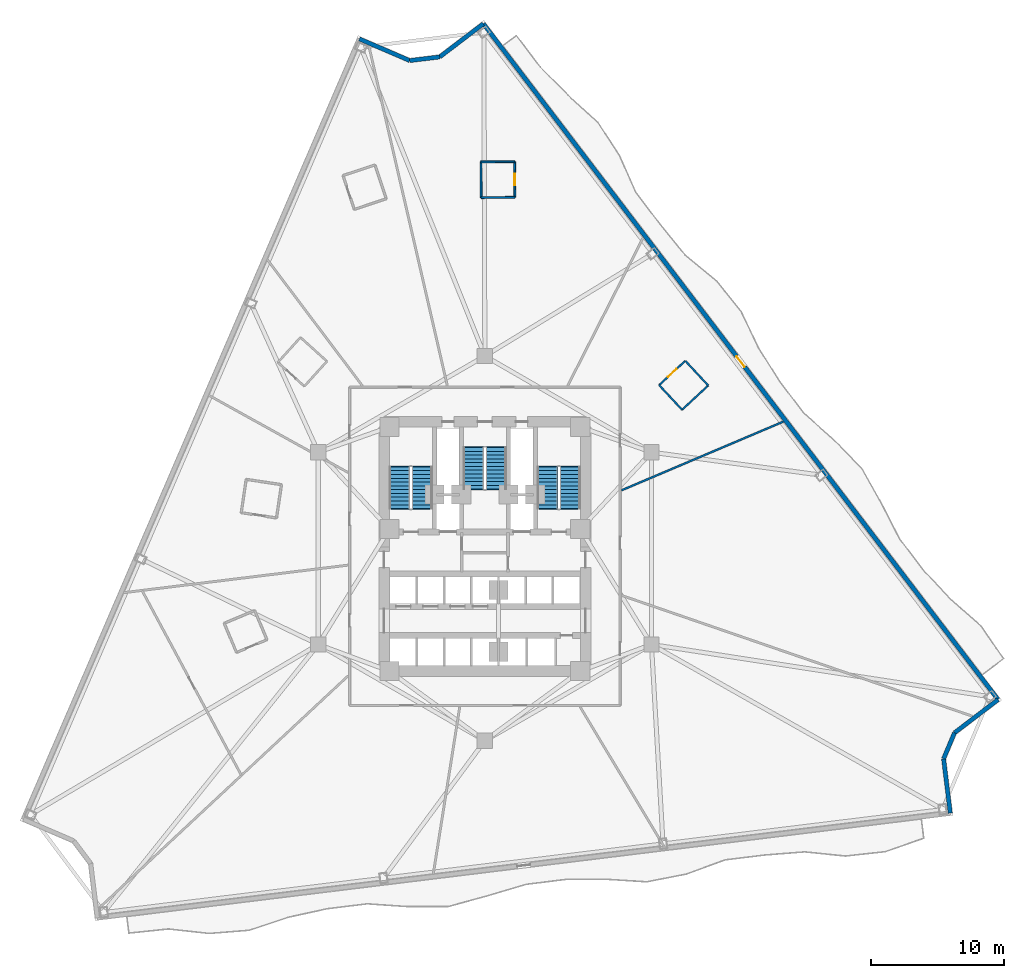
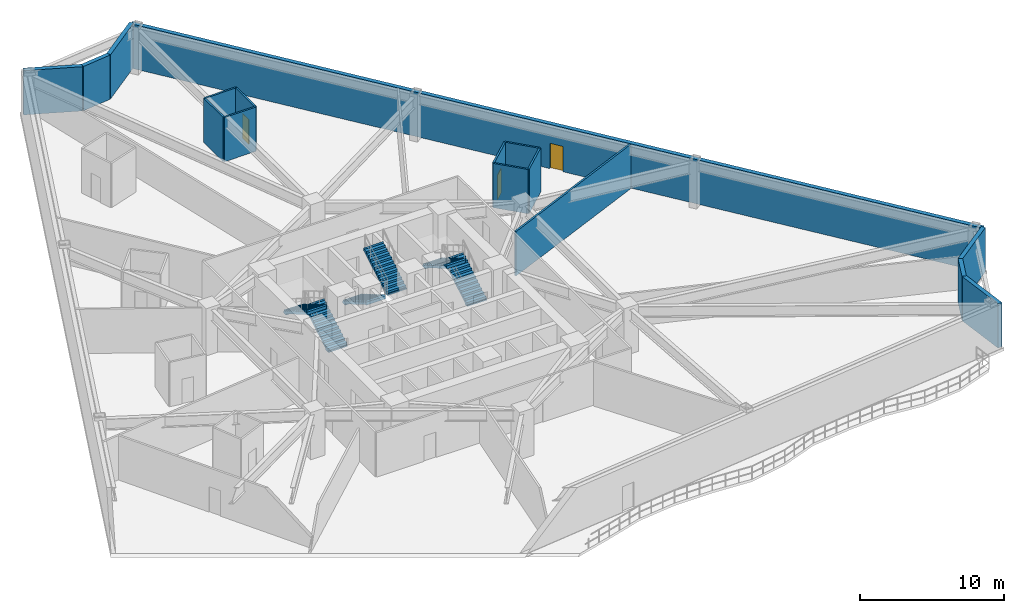
# One storey, part 6 of 10: 16 walls, 6 stair flights, 3 doors, 3 openings, 3 elements without a shape of their own.
"""IFC4 building model written with IfcOpenShell, lengths in metres."""

from ifc_helpers import new_model, si_unit, direction, frame, frame_2d, origin, place, context, subcontext, project, spatial, polyline, rectangle, outline, extrude, material, layer, layer_set, type_object, element, fill, aggregate, save


model = new_model("IFC4")

# Units and contexts
model_context = context("Model", 3, precision=1e-05, world=origin(), true_north=direction((0.0, 1.0)))
body_context = subcontext(model_context, "Body", "Model", "MODEL_VIEW")
ifc_project = project(units=[si_unit("LENGTHUNIT", "METRE"), si_unit("AREAUNIT", "SQUARE_METRE"), si_unit("VOLUMEUNIT", "CUBIC_METRE"), si_unit("PLANEANGLEUNIT", "RADIAN"), si_unit("MASSUNIT", "GRAM", prefix="KILO")], contexts=[model_context])

# Site, building, storey
site_placement = place(None, origin())
site = spatial("IfcSite", under=ifc_project, at=site_placement, CompositionType="ELEMENT")
building_placement = place(site_placement, origin())
building = spatial("IfcBuilding", under=site, at=building_placement, Name="Apsidion Concourse Tower", CompositionType="ELEMENT")
storey_placement = place(building_placement, frame((0.0, 0.0, 87.0)))
storey = spatial("IfcBuildingStorey", under=building, at=storey_placement, Name="L19", CompositionType="ELEMENT", Elevation=87.0)

# Wall, opening, door
ifc_material_1 = material(Name="Precast concrete C40/50", Category="concrete")
ifc_layer_1 = layer(ifc_material_1, 0.320068359375)
ifc_layer_set_1 = layer_set([ifc_layer_1], Name="Precast concrete C40/50")
wall_type_1 = type_object("IfcWallType", Name="WL-EXT-320", PredefinedType="STANDARD", material=ifc_layer_set_1)
wall_1_placement = place(storey_placement, frame((-0.115234375, 39.555419921875, 0.0), z_axis=(0.0, 0.0, 1.0), x_axis=(0.605877389385, -0.795558036243, 0.0)))
wall_1 = element("IfcWall", 1, at=wall_1_placement, inside=storey, type_object=wall_type_1, Name="L19 Precast Stone Facade Wall 01", PredefinedType="STANDARD", context=body_context, shape_type="SweptSolid", body=[
    extrude(rectangle(XDim=64.058349609375, YDim=0.320068359375, at=frame_2d((32.029296875, 0.0))), origin(), (0.0, 0.0, 1.0), 3.75),
])
opening_1_placement = place(wall_1_placement, frame((31.529296875, 0.0, 0.0)))
opening_1 = element("IfcOpeningElement", 2, at=opening_1_placement, cuts=wall_1, Name="Opening D-T1L", PredefinedType="OPENING", context=body_context, shape_type="SweptSolid", body=[
    extrude(rectangle(XDim=1.0, YDim=2.14990234375, at=frame_2d((0.5, 1.074951171875))), frame((0.0, 0.169921875, 0.0), z_axis=(0.0, -1.0, 0.0), x_axis=(1.0, 0.0, 0.0)), (0.0, 0.0, 1.0), 0.340087890625),
])
ifc_material_2 = material(Name="Anodised aluminium EN AW-6063 T6", Category="aluminium")
door_type_1 = type_object("IfcDoorType", Name="DR-TER-1022L", OperationType="SINGLE_SWING_LEFT", PredefinedType="DOOR", material=ifc_material_2)
door_1_placement = place(opening_1_placement, origin())
door_1 = element("IfcDoor", 3, at=door_1_placement, inside=storey, type_object=door_type_1, Name="L19 Balcony Access Door 2", OperationType="SINGLE_SWING_LEFT", OverallHeight=2.14990234375, OverallWidth=1.0, PredefinedType="DOOR", context=body_context, shape_type="SweptSolid", body=[
    extrude(rectangle(XDim=1.0, YDim=2.14990234375, at=frame_2d((0.5, 1.074951171875))), frame((0.0, 0.02490234375, 0.0), z_axis=(0.0, -1.0, 0.0), x_axis=(1.0, 0.0, 0.0)), (0.0, 0.0, 1.0), 0.050048828125),
])
fill(opening_1, door_1)

# Walls
wall_2_placement = place(storey_placement, frame((38.6962890625, -11.40673828125, 0.0), z_axis=(0.0, 0.0, 1.0), x_axis=(-0.795549815011, -0.605888184269, 0.0)))
element("IfcWall", 4, at=wall_2_placement, inside=storey, type_object=wall_type_1, Name="L19 Precast Stone Facade Wall 02", PredefinedType="STANDARD", context=body_context, shape_type="SweptSolid", body=[
    extrude(rectangle(XDim=4.128173828125, YDim=0.320068359375, at=frame_2d((2.06396484375, 0.0))), origin(), (0.0, 0.0, 1.0), 3.75),
])
wall_3_placement = place(storey_placement, frame((35.412109375, -13.907958984375, 0.0), z_axis=(0.0, 0.0, 1.0), x_axis=(-0.388344964834, -0.921514073841, 0.0)))
element("IfcWall", 5, at=wall_3_placement, inside=storey, type_object=wall_type_1, Name="L19 Precast Stone Facade Wall 03", PredefinedType="STANDARD", context=body_context, shape_type="SweptSolid", body=[
    extrude(rectangle(XDim=2.122314453125, YDim=0.320068359375, at=frame_2d((1.06103515625, 0.0))), origin(), (0.0, 0.0, 1.0), 3.75),
])
wall_4_placement = place(storey_placement, frame((34.587890625, -15.86376953125, 0.0), z_axis=(0.0, 0.0, 1.0), x_axis=(0.12182895116, -0.992551110351, 0.0)))
element("IfcWall", 6, at=wall_4_placement, inside=storey, type_object=wall_type_1, Name="L19 Precast Stone Facade Wall 04", PredefinedType="STANDARD", context=body_context, shape_type="SweptSolid", body=[
    extrude(rectangle(XDim=4.128173828125, YDim=0.320068359375, at=frame_2d((2.06396484375, 0.0))), origin(), (0.0, 0.0, 1.0), 3.75),
])
wall_5_placement = place(storey_placement, frame((-9.45751953125, 38.408203125, 0.0), z_axis=(0.0, 0.0, 1.0), x_axis=(0.918510754284, -0.395395996774, 0.0)))
element("IfcWall", 7, at=wall_5_placement, inside=storey, type_object=wall_type_1, Name="L19 Precast Stone Facade Wall 10", PredefinedType="STANDARD", context=body_context, shape_type="SweptSolid", body=[
    extrude(rectangle(XDim=4.12890625, YDim=0.320068359375, at=frame_2d((2.064453125, 0.0))), origin(), (0.0, 0.0, 1.0), 3.75),
])
wall_6_placement = place(storey_placement, frame((-5.6650390625, 36.775634765625, 0.0), z_axis=(0.0, 0.0, 1.0), x_axis=(0.992547088217, 0.121861715369, 0.0)))
element("IfcWall", 8, at=wall_6_placement, inside=storey, type_object=wall_type_1, Name="L19 Precast Stone Facade Wall 11", PredefinedType="STANDARD", context=body_context, shape_type="SweptSolid", body=[
    extrude(rectangle(XDim=2.281982421875, YDim=0.320068359375, at=frame_2d((1.14111328125, 0.0))), origin(), (0.0, 0.0, 1.0), 3.75),
])
wall_7_placement = place(storey_placement, frame((-3.400146484375, 37.0537109375, 0.0), z_axis=(0.0, 0.0, 1.0), x_axis=(0.795557931523, 0.605877526891, 0.0)))
element("IfcWall", 9, at=wall_7_placement, inside=storey, type_object=wall_type_1, Name="L19 Precast Stone Facade Wall 12", PredefinedType="STANDARD", context=body_context, shape_type="SweptSolid", body=[
    extrude(rectangle(XDim=4.129150390625, YDim=0.320068359375, at=frame_2d((2.064453125, 0.0))), origin(), (0.0, 0.0, 1.0), 3.75),
])
ifc_material_3 = material(Name="Gypsum plasterboard partition")
ifc_layer_2 = layer(ifc_material_3, 0.139892578125)
ifc_layer_set_2 = layer_set([ifc_layer_2], Name="Gypsum plasterboard partition")
wall_type_2 = type_object("IfcWallType", Name="WL-INT-PAR-140", PredefinedType="PARTITIONING", material=ifc_layer_set_2)
wall_8_placement = place(storey_placement, frame((14.869140625, 10.44580078125, 0.0), z_axis=(0.0, 0.0, 1.0), x_axis=(0.732544529416, 0.680719114189, 0.0)))
element("IfcWall", 10, at=wall_8_placement, inside=storey, type_object=wall_type_2, Name="L19 Interior Partition WL-L19-POD-ENS05-S1", PredefinedType="PARTITIONING", context=body_context, shape_type="SweptSolid", body=[
    extrude(rectangle(XDim=2.68994140625, YDim=0.139892578125, at=frame_2d((1.344970703125, 0.0))), origin(), (0.0, 0.0, 1.0), 3.75),
])
wall_9_placement = place(storey_placement, frame((16.839599609375, 12.27685546875, 0.0), z_axis=(0.0, 0.0, 1.0), x_axis=(-0.680679633355, 0.732581215113, 0.0)))
element("IfcWall", 11, at=wall_9_placement, inside=storey, type_object=wall_type_2, Name="L19 Interior Partition WL-L19-POD-ENS05-S2", PredefinedType="PARTITIONING", context=body_context, shape_type="SweptSolid", body=[
    extrude(rectangle(XDim=2.5400390625, YDim=0.139892578125, at=frame_2d((1.27001953125, 0.0))), origin(), (0.0, 0.0, 1.0), 3.75),
])

# Wall, opening, door
wall_10_placement = place(storey_placement, frame((15.110595703125, 14.1376953125, 0.0), z_axis=(0.0, 0.0, 1.0), x_axis=(-0.732499271207, -0.680767814809, 0.0)))
wall_10 = element("IfcWall", 12, at=wall_10_placement, inside=storey, type_object=wall_type_2, Name="L19 Interior Partition WL-L19-POD-ENS05-S3", PredefinedType="PARTITIONING", context=body_context, shape_type="SweptSolid", body=[
    extrude(rectangle(XDim=2.68994140625, YDim=0.139892578125, at=frame_2d((1.344970703125, 0.0))), origin(), (0.0, 0.0, 1.0), 3.75),
])
opening_2_placement = place(wall_10_placement, frame((0.905029296875, 0.0, 0.0)))
opening_2 = element("IfcOpeningElement", 13, at=opening_2_placement, cuts=wall_10, Name="Opening D-03R", PredefinedType="OPENING", context=body_context, shape_type="SweptSolid", body=[
    extrude(rectangle(XDim=0.8798828125, YDim=2.10009765625, at=frame_2d((0.43994140625, 1.050048828125))), frame((0.0, 0.080078125, 0.0), z_axis=(0.0, -1.0, 0.0), x_axis=(1.0, 0.0, 0.0)), (0.0, 0.0, 1.0), 0.159912109375),
])
door_type_2 = type_object("IfcDoorType", Name="DR-INT-D03R", OperationType="SINGLE_SWING_RIGHT", PredefinedType="DOOR", material=ifc_material_2)
door_2_placement = place(opening_2_placement, origin())
door_2 = element("IfcDoor", 14, at=door_2_placement, inside=storey, type_object=door_type_2, Name="L19 Guest En-Suite Bathroom Door ENS05", OperationType="SINGLE_SWING_RIGHT", OverallHeight=2.10009765625, OverallWidth=0.8798828125, PredefinedType="DOOR", context=body_context, shape_type="SweptSolid", body=[
    extrude(rectangle(XDim=0.8798828125, YDim=2.10009765625, at=frame_2d((0.43994140625, 1.050048828125))), frame((0.0, 0.02490234375, 0.0), z_axis=(0.0, -1.0, 0.0), x_axis=(1.0, 0.0, 0.0)), (0.0, 0.0, 1.0), 0.050048828125),
])
fill(opening_2, door_2)

# Wall
wall_11_placement = place(storey_placement, frame((13.14013671875, 12.306396484375, 0.0), z_axis=(0.0, 0.0, 1.0), x_axis=(0.680727562838, -0.732536678394, 0.0)))
element("IfcWall", 15, at=wall_11_placement, inside=storey, type_object=wall_type_2, Name="L19 Interior Partition WL-L19-POD-ENS05-S4", PredefinedType="PARTITIONING", context=body_context, shape_type="SweptSolid", body=[
    extrude(rectangle(XDim=2.5400390625, YDim=0.139892578125, at=frame_2d((1.27001953125, 0.0))), origin(), (0.0, 0.0, 1.0), 3.75),
])

# Wall, opening, door
wall_12_placement = place(storey_placement, frame((2.2626953125, 26.462890625, 0.0), z_axis=(0.0, 0.0, 1.0), x_axis=(-0.006988393513, 0.99997558088, 0.0)))
wall_12 = element("IfcWall", 16, at=wall_12_placement, inside=storey, type_object=wall_type_2, Name="L19 Interior Partition WL-L19-POD-ENS06-S1", PredefinedType="PARTITIONING", context=body_context, shape_type="SweptSolid", body=[
    extrude(rectangle(XDim=2.68994140625, YDim=0.139892578125, at=frame_2d((1.344970703125, 0.0))), origin(), (0.0, 0.0, 1.0), 3.75),
])
opening_3_placement = place(wall_12_placement, frame((0.905029296875, 0.0, 0.0)))
opening_3 = element("IfcOpeningElement", 17, at=opening_3_placement, cuts=wall_12, Name="Opening D-03L", PredefinedType="OPENING", context=body_context, shape_type="SweptSolid", body=[
    extrude(rectangle(XDim=0.8798828125, YDim=2.10009765625, at=frame_2d((0.43994140625, 1.050048828125))), frame((0.0, 0.080078125, 0.0), z_axis=(0.0, -1.0, 0.0), x_axis=(1.0, 0.0, 0.0)), (0.0, 0.0, 1.0), 0.159912109375),
])
door_type_3 = type_object("IfcDoorType", Name="DR-INT-D03L", OperationType="SINGLE_SWING_LEFT", PredefinedType="DOOR", material=ifc_material_2)
door_3_placement = place(opening_3_placement, origin())
door_3 = element("IfcDoor", 18, at=door_3_placement, inside=storey, type_object=door_type_3, Name="L19 Guest En-Suite Bathroom Door ENS06", OperationType="SINGLE_SWING_LEFT", OverallHeight=2.10009765625, OverallWidth=0.8798828125, PredefinedType="DOOR", context=body_context, shape_type="SweptSolid", body=[
    extrude(rectangle(XDim=0.8798828125, YDim=2.10009765625, at=frame_2d((0.43994140625, 1.050048828125))), frame((0.0, 0.02490234375, 0.0), z_axis=(0.0, -1.0, 0.0), x_axis=(1.0, 0.0, 0.0)), (0.0, 0.0, 1.0), 0.050048828125),
])
fill(opening_3, door_3)

# Walls
wall_13_placement = place(storey_placement, frame((2.243896484375, 29.15283203125, 0.0), z_axis=(0.0, 0.0, 1.0), x_axis=(-0.999975385047, -0.007016359391, 0.0)))
element("IfcWall", 19, at=wall_13_placement, inside=storey, type_object=wall_type_2, Name="L19 Interior Partition WL-L19-POD-ENS06-S2", PredefinedType="PARTITIONING", context=body_context, shape_type="SweptSolid", body=[
    extrude(rectangle(XDim=2.5400390625, YDim=0.139892578125, at=frame_2d((1.27001953125, 0.0))), origin(), (0.0, 0.0, 1.0), 3.75),
])
wall_14_placement = place(storey_placement, frame((-0.296142578125, 29.135009765625, 0.0), z_axis=(0.0, 0.0, 1.0), x_axis=(0.00698902781, -0.999975576447, 0.0)))
element("IfcWall", 20, at=wall_14_placement, inside=storey, type_object=wall_type_2, Name="L19 Interior Partition WL-L19-POD-ENS06-S3", PredefinedType="PARTITIONING", context=body_context, shape_type="SweptSolid", body=[
    extrude(rectangle(XDim=2.689697265625, YDim=0.139892578125, at=frame_2d((1.3447265625, 0.0))), origin(), (0.0, 0.0, 1.0), 3.75),
])
wall_15_placement = place(storey_placement, frame((-0.27734375, 26.4453125, 0.0), z_axis=(0.0, 0.0, 1.0), x_axis=(0.999976054787, 0.006920249514, 0.0)))
element("IfcWall", 21, at=wall_15_placement, inside=storey, type_object=wall_type_2, Name="L19 Interior Partition WL-L19-POD-ENS06-S4", PredefinedType="PARTITIONING", context=body_context, shape_type="SweptSolid", body=[
    extrude(rectangle(XDim=2.5400390625, YDim=0.139892578125, at=frame_2d((1.27001953125, 0.0))), origin(), (0.0, 0.0, 1.0), 3.75),
])
ifc_layer_3 = layer(ifc_material_3, 0.14990234375)
ifc_layer_set_3 = layer_set([ifc_layer_3], Name="Gypsum plasterboard partition")
wall_type_3 = type_object("IfcWallType", Name="WL-INT-PAR-150", PredefinedType="PARTITIONING", material=ifc_layer_set_3)
wall_16_placement = place(storey_placement, frame((10.304931640625, 4.374267578125, 0.0), z_axis=(0.0, 0.0, 1.0), x_axis=(0.920506948121, 0.390726193723, 0.0)))
element("IfcWall", 22, at=wall_16_placement, inside=storey, type_object=wall_type_3, Name="L19 Interior Partition WL-L19-RAD-01-1", PredefinedType="PARTITIONING", context=body_context, shape_type="SweptSolid", body=[
    extrude(rectangle(XDim=13.260986328125, YDim=0.14990234375, at=frame_2d((6.63037109375, 0.0))), origin(), (0.0, 0.0, 1.0), 3.75),
])

# Stair, stair flights
stair_type = type_object("IfcStairType", Name="ST-DL-1550", PredefinedType="HALF_TURN_STAIR", material=ifc_material_1)
stair_1_placement = place(storey_placement, origin())
stair_1 = element("IfcStair", 23, at=stair_1_placement, inside=storey, type_object=stair_type, Name="L19 Protected Core Exit Stair ST1", PredefinedType="HALF_TURN_STAIR")
stair_flight_type = type_object("IfcStairFlightType", Name="SFL-RC-1550", PredefinedType="STRAIGHT", material=ifc_material_1)
stair_flight_1_placement = place(storey_placement, frame((-4.72509765625, 3.0, 0.0), z_axis=(0.0, 0.0, 1.0), x_axis=(0.0, 1.0, 0.0)))
stair_flight_1 = element("IfcStairFlight", 24, at=stair_flight_1_placement, type_object=stair_flight_type, Name="ST1 flight 1", NumberOfRisers=12, NumberOfTreads=11, PredefinedType="STRAIGHT", RiserHeight=0.166666667, TreadLength=0.285, context=body_context, shape_type="SweptSolid", body=[
    extrude(outline(polyline([(-0.080078125, -0.1123046875), (-0.080078125, 0.0), (0.0, 0.0), (0.0, 0.166748046875), (0.284912109375, 0.166748046875), (0.284912109375, 0.333251953125), (0.570068359375, 0.333251953125), (0.570068359375, 0.5), (0.85498046875, 0.5), (0.85498046875, 0.666748046875), (1.139892578125, 0.666748046875), (1.139892578125, 0.833251953125), (1.425048828125, 0.833251953125), (1.425048828125, 1.0), (1.7099609375, 1.0), (1.7099609375, 1.166748046875), (1.9951171875, 1.166748046875), (1.9951171875, 1.333251953125), (2.280029296875, 1.333251953125), (2.280029296875, 1.5), (2.56494140625, 1.5), (2.56494140625, 1.666748046875), (2.85009765625, 1.666748046875), (2.85009765625, 1.833251953125), (3.135009765625, 1.833251953125), (3.135009765625, 2.0), (3.215087890625, 1.916748046875), (3.215087890625, 1.65966796875), (3.135009765625, 1.65966796875), (0.296875, 0.0), (0.296875, -0.1123046875), (-0.080078125, -0.1123046875)])), frame((0.0, 0.77490234375, 0.0), z_axis=(0.0, -1.0, 0.0), x_axis=(1.0, 0.0, 0.0)), (0.0, 0.0, 1.0), 1.550048828125),
])
stair_flight_2_placement = place(storey_placement, frame((-6.425048828125, 6.135009765625, 2.0), z_axis=(0.0, 0.0, 1.0), x_axis=(0.0, -1.0, 0.0)))
stair_flight_2 = element("IfcStairFlight", 25, at=stair_flight_2_placement, type_object=stair_flight_type, Name="ST1 flight 2", NumberOfRisers=12, NumberOfTreads=11, PredefinedType="STRAIGHT", RiserHeight=0.166666667, TreadLength=0.285, context=body_context, shape_type="SweptSolid", body=[
    extrude(outline(polyline([(-0.080078125, -0.1123046875), (-0.080078125, 0.0), (0.0, 0.0), (0.0, 0.166748046875), (0.284912109375, 0.166748046875), (0.284912109375, 0.333251953125), (0.570068359375, 0.333251953125), (0.570068359375, 0.5), (0.85498046875, 0.5), (0.85498046875, 0.666748046875), (1.139892578125, 0.666748046875), (1.139892578125, 0.833251953125), (1.425048828125, 0.833251953125), (1.425048828125, 1.0), (1.7099609375, 1.0), (1.7099609375, 1.166748046875), (1.9951171875, 1.166748046875), (1.9951171875, 1.333251953125), (2.280029296875, 1.333251953125), (2.280029296875, 1.5), (2.56494140625, 1.5), (2.56494140625, 1.666748046875), (2.85009765625, 1.666748046875), (2.85009765625, 1.833251953125), (3.135009765625, 1.833251953125), (3.135009765625, 2.0), (3.215087890625, 1.916748046875), (3.215087890625, 1.65966796875), (3.135009765625, 1.65966796875), (0.296875, 0.0), (0.296875, -0.1123046875), (-0.080078125, -0.1123046875)])), frame((0.0, 0.77490234375, 0.0), z_axis=(0.0, -1.0, 0.0), x_axis=(1.0, 0.0, 0.0)), (0.0, 0.0, 1.0), 1.550048828125),
])
aggregate(stair_1, [stair_flight_1, stair_flight_2])

stair_2_placement = place(storey_placement, origin())
stair_2 = element("IfcStair", 26, at=stair_2_placement, inside=storey, type_object=stair_type, Name="L19 Protected Core Exit Stair ST2", PredefinedType="HALF_TURN_STAIR")
stair_flight_3_placement = place(storey_placement, frame((6.425048828125, 3.0, 0.0), z_axis=(0.0, 0.0, 1.0), x_axis=(0.0, 1.0, 0.0)))
stair_flight_3 = element("IfcStairFlight", 27, at=stair_flight_3_placement, type_object=stair_flight_type, Name="ST2 flight 1", NumberOfRisers=12, NumberOfTreads=11, PredefinedType="STRAIGHT", RiserHeight=0.166666667, TreadLength=0.285, context=body_context, shape_type="SweptSolid", body=[
    extrude(outline(polyline([(-0.080078125, -0.1123046875), (-0.080078125, 0.0), (0.0, 0.0), (0.0, 0.166748046875), (0.284912109375, 0.166748046875), (0.284912109375, 0.333251953125), (0.570068359375, 0.333251953125), (0.570068359375, 0.5), (0.85498046875, 0.5), (0.85498046875, 0.666748046875), (1.139892578125, 0.666748046875), (1.139892578125, 0.833251953125), (1.425048828125, 0.833251953125), (1.425048828125, 1.0), (1.7099609375, 1.0), (1.7099609375, 1.166748046875), (1.9951171875, 1.166748046875), (1.9951171875, 1.333251953125), (2.280029296875, 1.333251953125), (2.280029296875, 1.5), (2.56494140625, 1.5), (2.56494140625, 1.666748046875), (2.85009765625, 1.666748046875), (2.85009765625, 1.833251953125), (3.135009765625, 1.833251953125), (3.135009765625, 2.0), (3.215087890625, 1.916748046875), (3.215087890625, 1.65966796875), (3.135009765625, 1.65966796875), (0.296875, 0.0), (0.296875, -0.1123046875), (-0.080078125, -0.1123046875)])), frame((0.0, 0.77490234375, 0.0), z_axis=(0.0, -1.0, 0.0), x_axis=(1.0, 0.0, 0.0)), (0.0, 0.0, 1.0), 1.550048828125),
])
stair_flight_4_placement = place(storey_placement, frame((4.72509765625, 6.135009765625, 2.0), z_axis=(0.0, 0.0, 1.0), x_axis=(0.0, -1.0, 0.0)))
stair_flight_4 = element("IfcStairFlight", 28, at=stair_flight_4_placement, type_object=stair_flight_type, Name="ST2 flight 2", NumberOfRisers=12, NumberOfTreads=11, PredefinedType="STRAIGHT", RiserHeight=0.166666667, TreadLength=0.285, context=body_context, shape_type="SweptSolid", body=[
    extrude(outline(polyline([(-0.080078125, -0.1123046875), (-0.080078125, 0.0), (0.0, 0.0), (0.0, 0.166748046875), (0.284912109375, 0.166748046875), (0.284912109375, 0.333251953125), (0.570068359375, 0.333251953125), (0.570068359375, 0.5), (0.85498046875, 0.5), (0.85498046875, 0.666748046875), (1.139892578125, 0.666748046875), (1.139892578125, 0.833251953125), (1.425048828125, 0.833251953125), (1.425048828125, 1.0), (1.7099609375, 1.0), (1.7099609375, 1.166748046875), (1.9951171875, 1.166748046875), (1.9951171875, 1.333251953125), (2.280029296875, 1.333251953125), (2.280029296875, 1.5), (2.56494140625, 1.5), (2.56494140625, 1.666748046875), (2.85009765625, 1.666748046875), (2.85009765625, 1.833251953125), (3.135009765625, 1.833251953125), (3.135009765625, 2.0), (3.215087890625, 1.916748046875), (3.215087890625, 1.65966796875), (3.135009765625, 1.65966796875), (0.296875, 0.0), (0.296875, -0.1123046875), (-0.080078125, -0.1123046875)])), frame((0.0, 0.77490234375, 0.0), z_axis=(0.0, -1.0, 0.0), x_axis=(1.0, 0.0, 0.0)), (0.0, 0.0, 1.0), 1.550048828125),
])
aggregate(stair_2, [stair_flight_3, stair_flight_4])

stair_3_placement = place(storey_placement, origin())
stair_3 = element("IfcStair", 29, at=stair_3_placement, inside=storey, type_object=stair_type, Name="L19 Protected Core Exit Stair ST3", PredefinedType="HALF_TURN_STAIR")
stair_flight_5_placement = place(storey_placement, frame((-0.85009765625, 7.60009765625, 0.0), z_axis=(0.0, 0.0, 1.0), x_axis=(0.0, -1.0, 0.0)))
stair_flight_5 = element("IfcStairFlight", 30, at=stair_flight_5_placement, type_object=stair_flight_type, Name="ST3 flight 1", NumberOfRisers=12, NumberOfTreads=11, PredefinedType="STRAIGHT", RiserHeight=0.166666667, TreadLength=0.285, context=body_context, shape_type="SweptSolid", body=[
    extrude(outline(polyline([(-0.080078125, -0.1123046875), (-0.080078125, 0.0), (0.0, 0.0), (0.0, 0.166748046875), (0.284912109375, 0.166748046875), (0.284912109375, 0.333251953125), (0.570068359375, 0.333251953125), (0.570068359375, 0.5), (0.85498046875, 0.5), (0.85498046875, 0.666748046875), (1.139892578125, 0.666748046875), (1.139892578125, 0.833251953125), (1.425048828125, 0.833251953125), (1.425048828125, 1.0), (1.7099609375, 1.0), (1.7099609375, 1.166748046875), (1.9951171875, 1.166748046875), (1.9951171875, 1.333251953125), (2.280029296875, 1.333251953125), (2.280029296875, 1.5), (2.56494140625, 1.5), (2.56494140625, 1.666748046875), (2.85009765625, 1.666748046875), (2.85009765625, 1.833251953125), (3.135009765625, 1.833251953125), (3.135009765625, 2.0), (3.215087890625, 1.916748046875), (3.215087890625, 1.65966796875), (3.135009765625, 1.65966796875), (0.296875, 0.0), (0.296875, -0.1123046875), (-0.080078125, -0.1123046875)])), frame((0.0, 0.77490234375, 0.0), z_axis=(0.0, -1.0, 0.0), x_axis=(1.0, 0.0, 0.0)), (0.0, 0.0, 1.0), 1.550048828125),
])
stair_flight_6_placement = place(storey_placement, frame((0.85009765625, 4.465087890625, 2.0), z_axis=(0.0, 0.0, 1.0), x_axis=(0.0, 1.0, 0.0)))
stair_flight_6 = element("IfcStairFlight", 31, at=stair_flight_6_placement, type_object=stair_flight_type, Name="ST3 flight 2", NumberOfRisers=12, NumberOfTreads=11, PredefinedType="STRAIGHT", RiserHeight=0.166666667, TreadLength=0.285, context=body_context, shape_type="SweptSolid", body=[
    extrude(outline(polyline([(-0.080078125, -0.1123046875), (-0.080078125, 0.0), (0.0, 0.0), (0.0, 0.166748046875), (0.284912109375, 0.166748046875), (0.284912109375, 0.333251953125), (0.570068359375, 0.333251953125), (0.570068359375, 0.5), (0.85498046875, 0.5), (0.85498046875, 0.666748046875), (1.139892578125, 0.666748046875), (1.139892578125, 0.833251953125), (1.425048828125, 0.833251953125), (1.425048828125, 1.0), (1.7099609375, 1.0), (1.7099609375, 1.166748046875), (1.9951171875, 1.166748046875), (1.9951171875, 1.333251953125), (2.280029296875, 1.333251953125), (2.280029296875, 1.5), (2.56494140625, 1.5), (2.56494140625, 1.666748046875), (2.85009765625, 1.666748046875), (2.85009765625, 1.833251953125), (3.135009765625, 1.833251953125), (3.135009765625, 2.0), (3.215087890625, 1.916748046875), (3.215087890625, 1.65966796875), (3.135009765625, 1.65966796875), (0.296875, 0.0), (0.296875, -0.1123046875), (-0.080078125, -0.1123046875)])), frame((0.0, 0.77490234375, 0.0), z_axis=(0.0, -1.0, 0.0), x_axis=(1.0, 0.0, 0.0)), (0.0, 0.0, 1.0), 1.550048828125),
])
aggregate(stair_3, [stair_flight_5, stair_flight_6])

save(model, "model.ifc")
